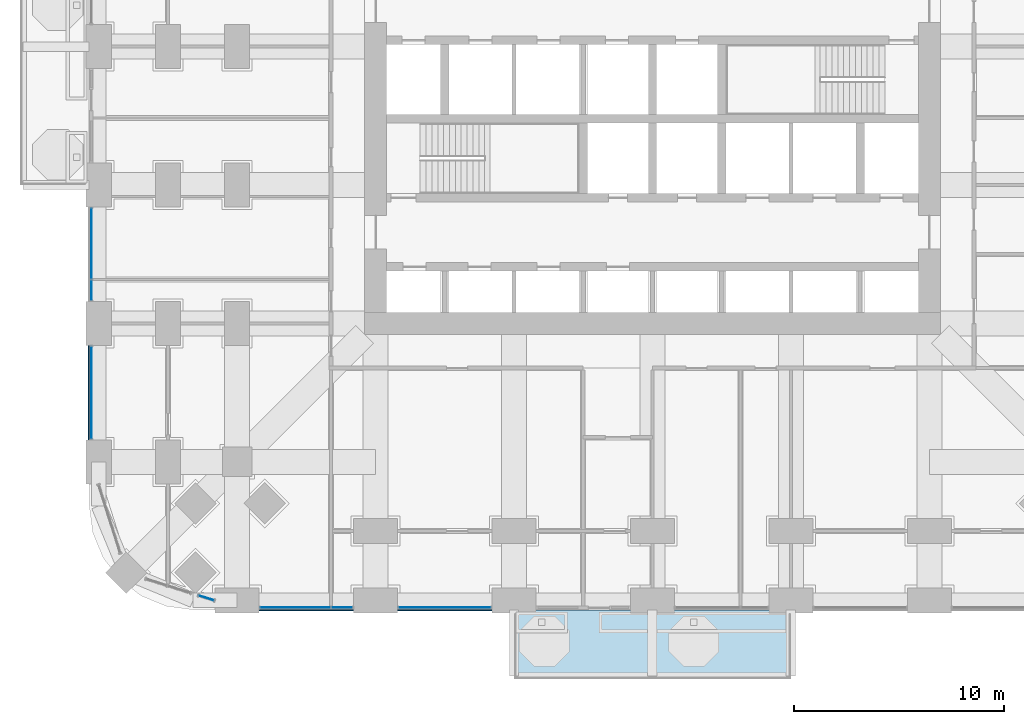
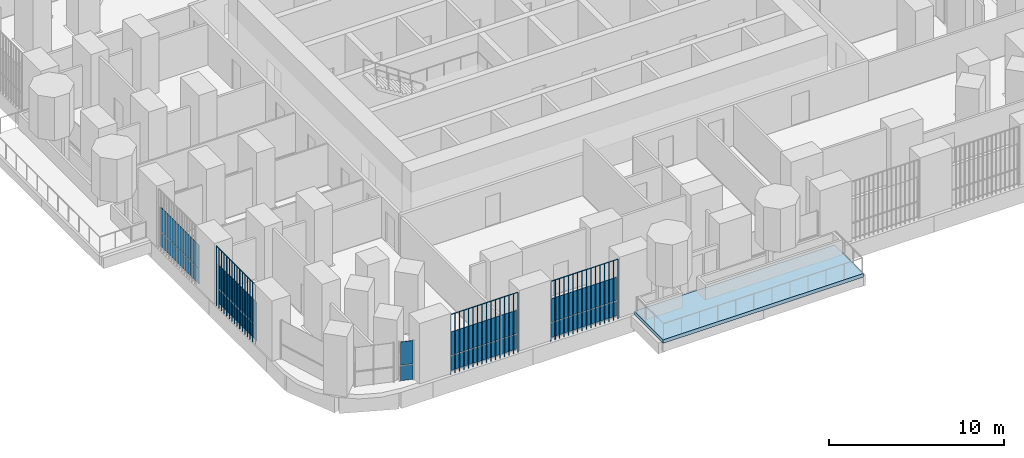
# One storey, part 11 of 26: 17 plates, 1 slab, 5 elements without a shape of their own.
"""IFC4 building model written with IfcOpenShell, lengths in metres."""

from ifc_helpers import new_model, si_unit, direction, frame, origin, origin_2d, place, context, subcontext, project, spatial, polyline, rectangle, outline, extrude, material, layer, layer_set, type_object, element, aggregate, save


model = new_model("IFC4")

# Units and contexts
model_context = context("Model", 3, precision=1e-05, world=origin(), true_north=direction((0.0, 1.0)))
body_context = subcontext(model_context, "Body", "Model", "MODEL_VIEW")
ifc_project = project(units=[si_unit("LENGTHUNIT", "METRE"), si_unit("AREAUNIT", "SQUARE_METRE"), si_unit("VOLUMEUNIT", "CUBIC_METRE"), si_unit("PLANEANGLEUNIT", "RADIAN"), si_unit("MASSUNIT", "GRAM", prefix="KILO")], contexts=[model_context])

# Site, building, storey
site_placement = place(None, origin())
site = spatial("IfcSite", under=ifc_project, at=site_placement, CompositionType="ELEMENT")
building_placement = place(site_placement, origin())
building = spatial("IfcBuilding", under=site, at=building_placement, Name="Cobogo Forest Laboratory Tower", CompositionType="ELEMENT")
storey_placement = place(building_placement, frame((0.0, 0.0, 50.699951171875)))
storey = spatial("IfcBuildingStorey", under=building, at=storey_placement, Name="L11", CompositionType="ELEMENT", Elevation=50.699951171875)

# Slab
ifc_material_1 = material(Name="Concrete HA-40 (C40/50)", Category="concrete")
ifc_layer_1 = layer(ifc_material_1, 0.25)
ifc_layer_set_1 = layer_set([ifc_layer_1], Name="Balcony slab 250")
slab_type = type_object("IfcSlabType", Name="Balcony slab 250", PredefinedType="FLOOR", material=ifc_layer_set_1)
slab_placement = place(storey_placement, frame((0.0, 0.0, -0.25)))
element("IfcSlab", 1, at=slab_placement, inside=storey, type_object=slab_type, Name="Balcony BAL-S1 L11", PredefinedType="FLOOR", context=body_context, shape_type="SweptSolid", body=[
    extrude(outline(polyline([(19.800048828125, -3.75), (33.0, -3.75), (33.0, -0.449951171875), (19.800048828125, -0.449951171875), (19.800048828125, -3.75)])), origin(), (0.0, 0.0, 1.0), 0.25),
])

# Curtain wall, plates
ifc_material_2 = material(Name="Aluminium curtain wall", Category="aluminium")
curtain_wall_type = type_object("IfcCurtainWallType", Name="CW-1 unitised curtain wall, clear glazing, laboratory floors zones A and B", PredefinedType="USERDEFINED", material=ifc_material_2)
curtain_wall_1_placement = place(storey_placement, origin())
curtain_wall_1 = element("IfcCurtainWall", 2, at=curtain_wall_1_placement, inside=storey, type_object=curtain_wall_type, Name="Curtain wall 01 L11", ObjectType="UNITISED CURTAIN WALL", PredefinedType="USERDEFINED")
ifc_material_3 = material(Name="Clear insulated glass", Category="glass")
ifc_layer_2 = layer(ifc_material_3, 0.028076171875)
ifc_layer_set_2 = layer_set([ifc_layer_2], Name="GP-1 clear insulated glass unit 28")
plate_type_1 = type_object("IfcPlateType", Name="GP-1 clear insulated glass unit 28", PredefinedType="CURTAIN_PANEL", material=ifc_layer_set_2)
plate_1_placement = place(storey_placement, frame((9.37744140625, -0.35009765625, 0.0), z_axis=(0.0, 0.0, 1.0), x_axis=(1.0, 0.0, 0.0)))
plate_1 = element("IfcPlate", 3, at=plate_1_placement, type_object=plate_type_1, Name="CW-1 panel 1.1", PredefinedType="CURTAIN_PANEL", context=body_context, shape_type="SweptSolid", body=[
    extrude(rectangle(XDim=3.3349609375, YDim=0.028076171875, at=origin_2d()), origin(), (0.0, 0.0, 1.0), 1.02001953125),
])
plate_2_placement = place(storey_placement, frame((9.37744140625, -0.35009765625, 1.080078125), z_axis=(0.0, 0.0, 1.0), x_axis=(1.0, 0.0, 0.0)))
plate_2 = element("IfcPlate", 4, at=plate_2_placement, type_object=plate_type_1, Name="CW-1 panel 1.2", PredefinedType="CURTAIN_PANEL", context=body_context, shape_type="SweptSolid", body=[
    extrude(rectangle(XDim=3.3349609375, YDim=0.028076171875, at=origin_2d()), origin(), (0.0, 0.0, 1.0), 1.6201171875),
])
plate_3_placement = place(storey_placement, frame((11.597412109375, -0.35009765625, 0.0), z_axis=(0.0, 0.0, 1.0), x_axis=(1.0, 0.0, 0.0)))
plate_3 = element("IfcPlate", 5, at=plate_3_placement, type_object=plate_type_1, Name="CW-1 panel 2.1", PredefinedType="CURTAIN_PANEL", context=body_context, shape_type="SweptSolid", body=[
    extrude(rectangle(XDim=0.985107421875, YDim=0.028076171875, at=origin_2d()), origin(), (0.0, 0.0, 1.0), 1.02001953125),
])
plate_4_placement = place(storey_placement, frame((11.597412109375, -0.35009765625, 1.080078125), z_axis=(0.0, 0.0, 1.0), x_axis=(1.0, 0.0, 0.0)))
plate_4 = element("IfcPlate", 6, at=plate_4_placement, type_object=plate_type_1, Name="CW-1 panel 2.2", PredefinedType="CURTAIN_PANEL", context=body_context, shape_type="SweptSolid", body=[
    extrude(rectangle(XDim=0.985107421875, YDim=0.028076171875, at=origin_2d()), origin(), (0.0, 0.0, 1.0), 1.6201171875),
])
aggregate(curtain_wall_1, [plate_1, plate_2, plate_3, plate_4])

curtain_wall_2_placement = place(storey_placement, origin())
curtain_wall_2 = element("IfcCurtainWall", 7, at=curtain_wall_2_placement, inside=storey, type_object=curtain_wall_type, Name="Curtain wall 02 L11", ObjectType="UNITISED CURTAIN WALL", PredefinedType="USERDEFINED")
plate_5_placement = place(storey_placement, frame((16.5, -0.35009765625, 0.0), z_axis=(0.0, 0.0, 1.0), x_axis=(1.0, 0.0, 0.0)))
plate_5 = element("IfcPlate", 8, at=plate_5_placement, type_object=plate_type_1, Name="CW-1 panel 1.1", PredefinedType="CURTAIN_PANEL", context=body_context, shape_type="SweptSolid", body=[
    extrude(rectangle(XDim=4.3798828125, YDim=0.028076171875, at=origin_2d()), origin(), (0.0, 0.0, 1.0), 1.02001953125),
])
plate_6_placement = place(storey_placement, frame((16.5, -0.35009765625, 1.080078125), z_axis=(0.0, 0.0, 1.0), x_axis=(1.0, 0.0, 0.0)))
plate_6 = element("IfcPlate", 9, at=plate_6_placement, type_object=plate_type_1, Name="CW-1 panel 1.2", PredefinedType="CURTAIN_PANEL", context=body_context, shape_type="SweptSolid", body=[
    extrude(rectangle(XDim=4.3798828125, YDim=0.028076171875, at=origin_2d()), origin(), (0.0, 0.0, 1.0), 1.6201171875),
])
aggregate(curtain_wall_2, [plate_5, plate_6])

curtain_wall_3_placement = place(storey_placement, origin())
curtain_wall_3 = element("IfcCurtainWall", 10, at=curtain_wall_3_placement, inside=storey, type_object=curtain_wall_type, Name="Curtain wall 30 L11", ObjectType="UNITISED CURTAIN WALL", PredefinedType="USERDEFINED")
plate_7_placement = place(storey_placement, frame((-0.35009765625, 17.010009765625, 0.0), z_axis=(0.0, 0.0, 1.0), x_axis=(0.0, -1.0, 0.0)))
plate_7 = element("IfcPlate", 11, at=plate_7_placement, type_object=plate_type_1, Name="CW-1 panel 1.1", PredefinedType="CURTAIN_PANEL", context=body_context, shape_type="SweptSolid", body=[
    extrude(rectangle(XDim=3.360107421875, YDim=0.028076171875, at=origin_2d()), origin(), (0.0, 0.0, 1.0), 1.02001953125),
])
plate_8_placement = place(storey_placement, frame((-0.35009765625, 17.010009765625, 1.080078125), z_axis=(0.0, 0.0, 1.0), x_axis=(0.0, -1.0, 0.0)))
plate_8 = element("IfcPlate", 12, at=plate_8_placement, type_object=plate_type_1, Name="CW-1 panel 1.2", PredefinedType="CURTAIN_PANEL", context=body_context, shape_type="SweptSolid", body=[
    extrude(rectangle(XDim=3.360107421875, YDim=0.028076171875, at=origin_2d()), origin(), (0.0, 0.0, 1.0), 1.6201171875),
])
plate_9_placement = place(storey_placement, frame((-0.35009765625, 14.7900390625, 0.0), z_axis=(0.0, 0.0, 1.0), x_axis=(0.0, -1.0, 0.0)))
plate_9 = element("IfcPlate", 13, at=plate_9_placement, type_object=plate_type_1, Name="CW-1 panel 2.1", PredefinedType="CURTAIN_PANEL", context=body_context, shape_type="SweptSolid", body=[
    extrude(rectangle(XDim=0.9599609375, YDim=0.028076171875, at=origin_2d()), origin(), (0.0, 0.0, 1.0), 1.02001953125),
])
plate_10_placement = place(storey_placement, frame((-0.35009765625, 14.7900390625, 1.080078125), z_axis=(0.0, 0.0, 1.0), x_axis=(0.0, -1.0, 0.0)))
plate_10 = element("IfcPlate", 14, at=plate_10_placement, type_object=plate_type_1, Name="CW-1 panel 2.2", PredefinedType="CURTAIN_PANEL", context=body_context, shape_type="SweptSolid", body=[
    extrude(rectangle(XDim=0.9599609375, YDim=0.028076171875, at=origin_2d()), origin(), (0.0, 0.0, 1.0), 1.6201171875),
])
aggregate(curtain_wall_3, [plate_7, plate_8, plate_9, plate_10])

curtain_wall_4_placement = place(storey_placement, origin())
curtain_wall_4 = element("IfcCurtainWall", 15, at=curtain_wall_4_placement, inside=storey, type_object=curtain_wall_type, Name="Curtain wall 31 L11", ObjectType="UNITISED CURTAIN WALL", PredefinedType="USERDEFINED")
plate_11_placement = place(storey_placement, frame((-0.35009765625, 9.89990234375, 0.0), z_axis=(0.0, 0.0, 1.0), x_axis=(0.0, -1.0, 0.0)))
plate_11 = element("IfcPlate", 16, at=plate_11_placement, type_object=plate_type_1, Name="CW-1 panel 1.1", PredefinedType="CURTAIN_PANEL", context=body_context, shape_type="SweptSolid", body=[
    extrude(rectangle(XDim=4.3798828125, YDim=0.028076171875, at=origin_2d()), origin(), (0.0, 0.0, 1.0), 1.02001953125),
])
plate_12_placement = place(storey_placement, frame((-0.35009765625, 9.89990234375, 1.080078125), z_axis=(0.0, 0.0, 1.0), x_axis=(0.0, -1.0, 0.0)))
plate_12 = element("IfcPlate", 17, at=plate_12_placement, type_object=plate_type_1, Name="CW-1 panel 1.2", PredefinedType="CURTAIN_PANEL", context=body_context, shape_type="SweptSolid", body=[
    extrude(rectangle(XDim=4.3798828125, YDim=0.028076171875, at=origin_2d()), origin(), (0.0, 0.0, 1.0), 1.6201171875),
])
aggregate(curtain_wall_4, [plate_11, plate_12])

curtain_wall_5_placement = place(storey_placement, origin())
curtain_wall_5 = element("IfcCurtainWall", 18, at=curtain_wall_5_placement, inside=storey, type_object=curtain_wall_type, Name="Curtain wall 34 L11", ObjectType="UNITISED CURTAIN WALL", PredefinedType="USERDEFINED")
plate_13_placement = place(storey_placement, frame((5.134033203125, 0.113037109375, 0.0), z_axis=(0.0, 0.0, 1.0), x_axis=(0.953581504428, -0.301135043481, 0.0)))
plate_13 = element("IfcPlate", 19, at=plate_13_placement, type_object=plate_type_1, Name="CW-1 panel 1.1", PredefinedType="CURTAIN_PANEL", context=body_context, shape_type="SweptSolid", body=[
    extrude(rectangle(XDim=0.75244140625, YDim=0.028076171875, at=origin_2d()), origin(), (0.0, 0.0, 1.0), 1.02001953125),
])
plate_14_placement = place(storey_placement, frame((5.134033203125, 0.113037109375, 1.080078125), z_axis=(0.0, 0.0, 1.0), x_axis=(0.953581504428, -0.301135043481, 0.0)))
plate_14 = element("IfcPlate", 20, at=plate_14_placement, type_object=plate_type_1, Name="CW-1 panel 1.2", PredefinedType="CURTAIN_PANEL", context=body_context, shape_type="SweptSolid", body=[
    extrude(rectangle(XDim=0.75244140625, YDim=0.028076171875, at=origin_2d()), origin(), (0.0, 0.0, 1.0), 1.6201171875),
])
aggregate(curtain_wall_5, [plate_13, plate_14])

# Plates
ifc_material_4 = material(Name="Terracotta", Category="masonry")
plate_type_2 = type_object("IfcPlateType", Name="TB1 terracotta baguette screen", PredefinedType="USERDEFINED", material=ifc_material_4)
plate_15_placement = place(storey_placement, frame((7.68115234375, -0.477783203125, -0.14990234375)))
element("IfcPlate", 21, at=plate_15_placement, inside=storey, type_object=plate_type_2, Name="Baguette screen S1 L11", ObjectType="BAGUETTE SCREEN", PredefinedType="USERDEFINED", context=body_context, shape_type="SweptSolid", body=[
    extrude(outline(polyline([(0.02880859375, 0.011962890625), (0.011962890625, 0.02880859375), (-0.011962890625, 0.02880859375), (-0.02880859375, 0.011962890625), (-0.02880859375, -0.011962890625), (-0.011962890625, -0.02880859375), (0.011962890625, -0.02880859375), (0.02880859375, -0.011962890625), (0.02880859375, 0.011962890625)])), frame((0.0, 0.0, 4.168701171875), z_axis=(1.0, 0.0, 0.0), x_axis=(0.0, 1.0, 0.0)), (0.0, 0.0, 1.0), 4.4375),
    extrude(outline(polyline([(0.02880859375, 0.011962890625), (0.011962890625, 0.02880859375), (-0.011962890625, 0.02880859375), (-0.02880859375, 0.011962890625), (-0.02880859375, -0.011962890625), (-0.011962890625, -0.02880859375), (0.011962890625, -0.02880859375), (0.02880859375, -0.011962890625), (0.02880859375, 0.011962890625)])), origin(), (0.0, 0.0, 1.0), 4.137451171875),
    extrude(outline(polyline([(0.02880859375, 0.011962890625), (0.011962890625, 0.02880859375), (-0.011962890625, 0.02880859375), (-0.02880859375, 0.011962890625), (-0.02880859375, -0.011962890625), (-0.011962890625, -0.02880859375), (0.011962890625, -0.02880859375), (0.02880859375, -0.011962890625), (0.02880859375, 0.011962890625)])), frame((0.2958984375, 0.0, 0.0)), (0.0, 0.0, 1.0), 4.137451171875),
    extrude(outline(polyline([(0.02880859375, 0.011962890625), (0.011962890625, 0.02880859375), (-0.011962890625, 0.02880859375), (-0.02880859375, 0.011962890625), (-0.02880859375, -0.011962890625), (-0.011962890625, -0.02880859375), (0.011962890625, -0.02880859375), (0.02880859375, -0.011962890625), (0.02880859375, 0.011962890625)])), frame((0.591552734375, 0.0, 0.0)), (0.0, 0.0, 1.0), 4.137451171875),
    extrude(outline(polyline([(0.02880859375, 0.011962890625), (0.011962890625, 0.02880859375), (-0.011962890625, 0.02880859375), (-0.02880859375, 0.011962890625), (-0.02880859375, -0.011962890625), (-0.011962890625, -0.02880859375), (0.011962890625, -0.02880859375), (0.02880859375, -0.011962890625), (0.02880859375, 0.011962890625)])), frame((0.887451171875, 0.0, 0.0)), (0.0, 0.0, 1.0), 4.137451171875),
    extrude(outline(polyline([(0.02880859375, 0.011962890625), (0.011962890625, 0.02880859375), (-0.011962890625, 0.02880859375), (-0.02880859375, 0.011962890625), (-0.02880859375, -0.011962890625), (-0.011962890625, -0.02880859375), (0.011962890625, -0.02880859375), (0.02880859375, -0.011962890625), (0.02880859375, 0.011962890625)])), frame((1.183349609375, 0.0, 0.0)), (0.0, 0.0, 1.0), 4.137451171875),
    extrude(outline(polyline([(0.02880859375, 0.011962890625), (0.011962890625, 0.02880859375), (-0.011962890625, 0.02880859375), (-0.02880859375, 0.011962890625), (-0.02880859375, -0.011962890625), (-0.011962890625, -0.02880859375), (0.011962890625, -0.02880859375), (0.02880859375, -0.011962890625), (0.02880859375, 0.011962890625)])), frame((1.479248046875, 0.0, 0.0)), (0.0, 0.0, 1.0), 4.137451171875),
    extrude(outline(polyline([(0.02880859375, 0.011962890625), (0.011962890625, 0.02880859375), (-0.011962890625, 0.02880859375), (-0.02880859375, 0.011962890625), (-0.02880859375, -0.011962890625), (-0.011962890625, -0.02880859375), (0.011962890625, -0.02880859375), (0.02880859375, -0.011962890625), (0.02880859375, 0.011962890625)])), frame((1.77490234375, 0.0, 0.0)), (0.0, 0.0, 1.0), 4.137451171875),
    extrude(outline(polyline([(0.02880859375, 0.011962890625), (0.011962890625, 0.02880859375), (-0.011962890625, 0.02880859375), (-0.02880859375, 0.011962890625), (-0.02880859375, -0.011962890625), (-0.011962890625, -0.02880859375), (0.011962890625, -0.02880859375), (0.02880859375, -0.011962890625), (0.02880859375, 0.011962890625)])), frame((2.07080078125, 0.0, 0.0)), (0.0, 0.0, 1.0), 4.137451171875),
    extrude(outline(polyline([(0.02880859375, 0.011962890625), (0.011962890625, 0.02880859375), (-0.011962890625, 0.02880859375), (-0.02880859375, 0.011962890625), (-0.02880859375, -0.011962890625), (-0.011962890625, -0.02880859375), (0.011962890625, -0.02880859375), (0.02880859375, -0.011962890625), (0.02880859375, 0.011962890625)])), frame((2.36669921875, 0.0, 0.0)), (0.0, 0.0, 1.0), 4.137451171875),
    extrude(outline(polyline([(0.02880859375, 0.011962890625), (0.011962890625, 0.02880859375), (-0.011962890625, 0.02880859375), (-0.02880859375, 0.011962890625), (-0.02880859375, -0.011962890625), (-0.011962890625, -0.02880859375), (0.011962890625, -0.02880859375), (0.02880859375, -0.011962890625), (0.02880859375, 0.011962890625)])), frame((2.66259765625, 0.0, 0.0)), (0.0, 0.0, 1.0), 4.137451171875),
    extrude(outline(polyline([(0.02880859375, 0.011962890625), (0.011962890625, 0.02880859375), (-0.011962890625, 0.02880859375), (-0.02880859375, 0.011962890625), (-0.02880859375, -0.011962890625), (-0.011962890625, -0.02880859375), (0.011962890625, -0.02880859375), (0.02880859375, -0.011962890625), (0.02880859375, 0.011962890625)])), frame((2.958251953125, 0.0, 0.0)), (0.0, 0.0, 1.0), 4.137451171875),
    extrude(outline(polyline([(0.02880859375, 0.011962890625), (0.011962890625, 0.02880859375), (-0.011962890625, 0.02880859375), (-0.02880859375, 0.011962890625), (-0.02880859375, -0.011962890625), (-0.011962890625, -0.02880859375), (0.011962890625, -0.02880859375), (0.02880859375, -0.011962890625), (0.02880859375, 0.011962890625)])), frame((3.254150390625, 0.0, 0.0)), (0.0, 0.0, 1.0), 4.137451171875),
    extrude(outline(polyline([(0.02880859375, 0.011962890625), (0.011962890625, 0.02880859375), (-0.011962890625, 0.02880859375), (-0.02880859375, 0.011962890625), (-0.02880859375, -0.011962890625), (-0.011962890625, -0.02880859375), (0.011962890625, -0.02880859375), (0.02880859375, -0.011962890625), (0.02880859375, 0.011962890625)])), frame((3.550048828125, 0.0, 0.0)), (0.0, 0.0, 1.0), 4.137451171875),
    extrude(outline(polyline([(0.02880859375, 0.011962890625), (0.011962890625, 0.02880859375), (-0.011962890625, 0.02880859375), (-0.02880859375, 0.011962890625), (-0.02880859375, -0.011962890625), (-0.011962890625, -0.02880859375), (0.011962890625, -0.02880859375), (0.02880859375, -0.011962890625), (0.02880859375, 0.011962890625)])), frame((3.845947265625, 0.0, 0.0)), (0.0, 0.0, 1.0), 4.137451171875),
    extrude(outline(polyline([(0.02880859375, 0.011962890625), (0.011962890625, 0.02880859375), (-0.011962890625, 0.02880859375), (-0.02880859375, 0.011962890625), (-0.02880859375, -0.011962890625), (-0.011962890625, -0.02880859375), (0.011962890625, -0.02880859375), (0.02880859375, -0.011962890625), (0.02880859375, 0.011962890625)])), frame((4.1416015625, 0.0, 0.0)), (0.0, 0.0, 1.0), 4.137451171875),
    extrude(outline(polyline([(0.02880859375, 0.011962890625), (0.011962890625, 0.02880859375), (-0.011962890625, 0.02880859375), (-0.02880859375, 0.011962890625), (-0.02880859375, -0.011962890625), (-0.011962890625, -0.02880859375), (0.011962890625, -0.02880859375), (0.02880859375, -0.011962890625), (0.02880859375, 0.011962890625)])), frame((4.4375, 0.0, 0.0)), (0.0, 0.0, 1.0), 4.137451171875),
])
plate_16_placement = place(storey_placement, frame((14.28125, -0.477783203125, -0.14990234375)))
element("IfcPlate", 22, at=plate_16_placement, inside=storey, type_object=plate_type_2, Name="Baguette screen S2 L11", ObjectType="BAGUETTE SCREEN", PredefinedType="USERDEFINED", context=body_context, shape_type="SweptSolid", body=[
    extrude(outline(polyline([(0.02880859375, 0.011962890625), (0.011962890625, 0.02880859375), (-0.011962890625, 0.02880859375), (-0.02880859375, 0.011962890625), (-0.02880859375, -0.011962890625), (-0.011962890625, -0.02880859375), (0.011962890625, -0.02880859375), (0.02880859375, -0.011962890625), (0.02880859375, 0.011962890625)])), frame((0.0, 0.0, 4.168701171875), z_axis=(1.0, 0.0, 0.0), x_axis=(0.0, 1.0, 0.0)), (0.0, 0.0, 1.0), 4.4375),
    extrude(outline(polyline([(0.02880859375, 0.011962890625), (0.011962890625, 0.02880859375), (-0.011962890625, 0.02880859375), (-0.02880859375, 0.011962890625), (-0.02880859375, -0.011962890625), (-0.011962890625, -0.02880859375), (0.011962890625, -0.02880859375), (0.02880859375, -0.011962890625), (0.02880859375, 0.011962890625)])), origin(), (0.0, 0.0, 1.0), 4.137451171875),
    extrude(outline(polyline([(0.02880859375, 0.011962890625), (0.011962890625, 0.02880859375), (-0.011962890625, 0.02880859375), (-0.02880859375, 0.011962890625), (-0.02880859375, -0.011962890625), (-0.011962890625, -0.02880859375), (0.011962890625, -0.02880859375), (0.02880859375, -0.011962890625), (0.02880859375, 0.011962890625)])), frame((0.2958984375, 0.0, 0.0)), (0.0, 0.0, 1.0), 4.137451171875),
    extrude(outline(polyline([(0.02880859375, 0.011962890625), (0.011962890625, 0.02880859375), (-0.011962890625, 0.02880859375), (-0.02880859375, 0.011962890625), (-0.02880859375, -0.011962890625), (-0.011962890625, -0.02880859375), (0.011962890625, -0.02880859375), (0.02880859375, -0.011962890625), (0.02880859375, 0.011962890625)])), frame((0.591552734375, 0.0, 0.0)), (0.0, 0.0, 1.0), 4.137451171875),
    extrude(outline(polyline([(0.02880859375, 0.011962890625), (0.011962890625, 0.02880859375), (-0.011962890625, 0.02880859375), (-0.02880859375, 0.011962890625), (-0.02880859375, -0.011962890625), (-0.011962890625, -0.02880859375), (0.011962890625, -0.02880859375), (0.02880859375, -0.011962890625), (0.02880859375, 0.011962890625)])), frame((0.887451171875, 0.0, 0.0)), (0.0, 0.0, 1.0), 4.137451171875),
    extrude(outline(polyline([(0.02880859375, 0.011962890625), (0.011962890625, 0.02880859375), (-0.011962890625, 0.02880859375), (-0.02880859375, 0.011962890625), (-0.02880859375, -0.011962890625), (-0.011962890625, -0.02880859375), (0.011962890625, -0.02880859375), (0.02880859375, -0.011962890625), (0.02880859375, 0.011962890625)])), frame((1.183349609375, 0.0, 0.0)), (0.0, 0.0, 1.0), 4.137451171875),
    extrude(outline(polyline([(0.02880859375, 0.011962890625), (0.011962890625, 0.02880859375), (-0.011962890625, 0.02880859375), (-0.02880859375, 0.011962890625), (-0.02880859375, -0.011962890625), (-0.011962890625, -0.02880859375), (0.011962890625, -0.02880859375), (0.02880859375, -0.011962890625), (0.02880859375, 0.011962890625)])), frame((1.479248046875, 0.0, 0.0)), (0.0, 0.0, 1.0), 4.137451171875),
    extrude(outline(polyline([(0.02880859375, 0.011962890625), (0.011962890625, 0.02880859375), (-0.011962890625, 0.02880859375), (-0.02880859375, 0.011962890625), (-0.02880859375, -0.011962890625), (-0.011962890625, -0.02880859375), (0.011962890625, -0.02880859375), (0.02880859375, -0.011962890625), (0.02880859375, 0.011962890625)])), frame((1.77490234375, 0.0, 0.0)), (0.0, 0.0, 1.0), 4.137451171875),
    extrude(outline(polyline([(0.02880859375, 0.011962890625), (0.011962890625, 0.02880859375), (-0.011962890625, 0.02880859375), (-0.02880859375, 0.011962890625), (-0.02880859375, -0.011962890625), (-0.011962890625, -0.02880859375), (0.011962890625, -0.02880859375), (0.02880859375, -0.011962890625), (0.02880859375, 0.011962890625)])), frame((2.07080078125, 0.0, 0.0)), (0.0, 0.0, 1.0), 4.137451171875),
    extrude(outline(polyline([(0.02880859375, 0.011962890625), (0.011962890625, 0.02880859375), (-0.011962890625, 0.02880859375), (-0.02880859375, 0.011962890625), (-0.02880859375, -0.011962890625), (-0.011962890625, -0.02880859375), (0.011962890625, -0.02880859375), (0.02880859375, -0.011962890625), (0.02880859375, 0.011962890625)])), frame((2.36669921875, 0.0, 0.0)), (0.0, 0.0, 1.0), 4.137451171875),
    extrude(outline(polyline([(0.02880859375, 0.011962890625), (0.011962890625, 0.02880859375), (-0.011962890625, 0.02880859375), (-0.02880859375, 0.011962890625), (-0.02880859375, -0.011962890625), (-0.011962890625, -0.02880859375), (0.011962890625, -0.02880859375), (0.02880859375, -0.011962890625), (0.02880859375, 0.011962890625)])), frame((2.66259765625, 0.0, 0.0)), (0.0, 0.0, 1.0), 4.137451171875),
    extrude(outline(polyline([(0.02880859375, 0.011962890625), (0.011962890625, 0.02880859375), (-0.011962890625, 0.02880859375), (-0.02880859375, 0.011962890625), (-0.02880859375, -0.011962890625), (-0.011962890625, -0.02880859375), (0.011962890625, -0.02880859375), (0.02880859375, -0.011962890625), (0.02880859375, 0.011962890625)])), frame((2.958251953125, 0.0, 0.0)), (0.0, 0.0, 1.0), 4.137451171875),
    extrude(outline(polyline([(0.02880859375, 0.011962890625), (0.011962890625, 0.02880859375), (-0.011962890625, 0.02880859375), (-0.02880859375, 0.011962890625), (-0.02880859375, -0.011962890625), (-0.011962890625, -0.02880859375), (0.011962890625, -0.02880859375), (0.02880859375, -0.011962890625), (0.02880859375, 0.011962890625)])), frame((3.254150390625, 0.0, 0.0)), (0.0, 0.0, 1.0), 4.137451171875),
    extrude(outline(polyline([(0.02880859375, 0.011962890625), (0.011962890625, 0.02880859375), (-0.011962890625, 0.02880859375), (-0.02880859375, 0.011962890625), (-0.02880859375, -0.011962890625), (-0.011962890625, -0.02880859375), (0.011962890625, -0.02880859375), (0.02880859375, -0.011962890625), (0.02880859375, 0.011962890625)])), frame((3.550048828125, 0.0, 0.0)), (0.0, 0.0, 1.0), 4.137451171875),
    extrude(outline(polyline([(0.02880859375, 0.011962890625), (0.011962890625, 0.02880859375), (-0.011962890625, 0.02880859375), (-0.02880859375, 0.011962890625), (-0.02880859375, -0.011962890625), (-0.011962890625, -0.02880859375), (0.011962890625, -0.02880859375), (0.02880859375, -0.011962890625), (0.02880859375, 0.011962890625)])), frame((3.845947265625, 0.0, 0.0)), (0.0, 0.0, 1.0), 4.137451171875),
    extrude(outline(polyline([(0.02880859375, 0.011962890625), (0.011962890625, 0.02880859375), (-0.011962890625, 0.02880859375), (-0.02880859375, 0.011962890625), (-0.02880859375, -0.011962890625), (-0.011962890625, -0.02880859375), (0.011962890625, -0.02880859375), (0.02880859375, -0.011962890625), (0.02880859375, 0.011962890625)])), frame((4.1416015625, 0.0, 0.0)), (0.0, 0.0, 1.0), 4.137451171875),
    extrude(outline(polyline([(0.02880859375, 0.011962890625), (0.011962890625, 0.02880859375), (-0.011962890625, 0.02880859375), (-0.02880859375, 0.011962890625), (-0.02880859375, -0.011962890625), (-0.011962890625, -0.02880859375), (0.011962890625, -0.02880859375), (0.02880859375, -0.011962890625), (0.02880859375, 0.011962890625)])), frame((4.4375, 0.0, 0.0)), (0.0, 0.0, 1.0), 4.137451171875),
])
plate_17_placement = place(storey_placement, frame((-0.477783203125, 7.68115234375, -0.14990234375)))
element("IfcPlate", 23, at=plate_17_placement, inside=storey, type_object=plate_type_2, Name="Baguette screen W1 L11", ObjectType="BAGUETTE SCREEN", PredefinedType="USERDEFINED", context=body_context, shape_type="SweptSolid", body=[
    extrude(outline(polyline([(0.02880859375, 0.011962890625), (0.011962890625, 0.02880859375), (-0.011962890625, 0.02880859375), (-0.02880859375, 0.011962890625), (-0.02880859375, -0.011962890625), (-0.011962890625, -0.02880859375), (0.011962890625, -0.02880859375), (0.02880859375, -0.011962890625), (0.02880859375, 0.011962890625)])), frame((0.0, 0.0, 4.168701171875), z_axis=(0.0, 1.0, 0.0), x_axis=(-1.0, 0.0, 0.0)), (0.0, 0.0, 1.0), 4.4375),
    extrude(outline(polyline([(0.02880859375, 0.011962890625), (0.011962890625, 0.02880859375), (-0.011962890625, 0.02880859375), (-0.02880859375, 0.011962890625), (-0.02880859375, -0.011962890625), (-0.011962890625, -0.02880859375), (0.011962890625, -0.02880859375), (0.02880859375, -0.011962890625), (0.02880859375, 0.011962890625)])), origin(), (0.0, 0.0, 1.0), 4.137451171875),
    extrude(outline(polyline([(0.02880859375, 0.011962890625), (0.011962890625, 0.02880859375), (-0.011962890625, 0.02880859375), (-0.02880859375, 0.011962890625), (-0.02880859375, -0.011962890625), (-0.011962890625, -0.02880859375), (0.011962890625, -0.02880859375), (0.02880859375, -0.011962890625), (0.02880859375, 0.011962890625)])), frame((0.0, 0.2958984375, 0.0)), (0.0, 0.0, 1.0), 4.137451171875),
    extrude(outline(polyline([(0.02880859375, 0.011962890625), (0.011962890625, 0.02880859375), (-0.011962890625, 0.02880859375), (-0.02880859375, 0.011962890625), (-0.02880859375, -0.011962890625), (-0.011962890625, -0.02880859375), (0.011962890625, -0.02880859375), (0.02880859375, -0.011962890625), (0.02880859375, 0.011962890625)])), frame((0.0, 0.591552734375, 0.0)), (0.0, 0.0, 1.0), 4.137451171875),
    extrude(outline(polyline([(0.02880859375, 0.011962890625), (0.011962890625, 0.02880859375), (-0.011962890625, 0.02880859375), (-0.02880859375, 0.011962890625), (-0.02880859375, -0.011962890625), (-0.011962890625, -0.02880859375), (0.011962890625, -0.02880859375), (0.02880859375, -0.011962890625), (0.02880859375, 0.011962890625)])), frame((0.0, 0.887451171875, 0.0)), (0.0, 0.0, 1.0), 4.137451171875),
    extrude(outline(polyline([(0.02880859375, 0.011962890625), (0.011962890625, 0.02880859375), (-0.011962890625, 0.02880859375), (-0.02880859375, 0.011962890625), (-0.02880859375, -0.011962890625), (-0.011962890625, -0.02880859375), (0.011962890625, -0.02880859375), (0.02880859375, -0.011962890625), (0.02880859375, 0.011962890625)])), frame((0.0, 1.183349609375, 0.0)), (0.0, 0.0, 1.0), 4.137451171875),
    extrude(outline(polyline([(0.02880859375, 0.011962890625), (0.011962890625, 0.02880859375), (-0.011962890625, 0.02880859375), (-0.02880859375, 0.011962890625), (-0.02880859375, -0.011962890625), (-0.011962890625, -0.02880859375), (0.011962890625, -0.02880859375), (0.02880859375, -0.011962890625), (0.02880859375, 0.011962890625)])), frame((0.0, 1.479248046875, 0.0)), (0.0, 0.0, 1.0), 4.137451171875),
    extrude(outline(polyline([(0.02880859375, 0.011962890625), (0.011962890625, 0.02880859375), (-0.011962890625, 0.02880859375), (-0.02880859375, 0.011962890625), (-0.02880859375, -0.011962890625), (-0.011962890625, -0.02880859375), (0.011962890625, -0.02880859375), (0.02880859375, -0.011962890625), (0.02880859375, 0.011962890625)])), frame((0.0, 1.77490234375, 0.0)), (0.0, 0.0, 1.0), 4.137451171875),
    extrude(outline(polyline([(0.02880859375, 0.011962890625), (0.011962890625, 0.02880859375), (-0.011962890625, 0.02880859375), (-0.02880859375, 0.011962890625), (-0.02880859375, -0.011962890625), (-0.011962890625, -0.02880859375), (0.011962890625, -0.02880859375), (0.02880859375, -0.011962890625), (0.02880859375, 0.011962890625)])), frame((0.0, 2.07080078125, 0.0)), (0.0, 0.0, 1.0), 4.137451171875),
    extrude(outline(polyline([(0.02880859375, 0.011962890625), (0.011962890625, 0.02880859375), (-0.011962890625, 0.02880859375), (-0.02880859375, 0.011962890625), (-0.02880859375, -0.011962890625), (-0.011962890625, -0.02880859375), (0.011962890625, -0.02880859375), (0.02880859375, -0.011962890625), (0.02880859375, 0.011962890625)])), frame((0.0, 2.36669921875, 0.0)), (0.0, 0.0, 1.0), 4.137451171875),
    extrude(outline(polyline([(0.02880859375, 0.011962890625), (0.011962890625, 0.02880859375), (-0.011962890625, 0.02880859375), (-0.02880859375, 0.011962890625), (-0.02880859375, -0.011962890625), (-0.011962890625, -0.02880859375), (0.011962890625, -0.02880859375), (0.02880859375, -0.011962890625), (0.02880859375, 0.011962890625)])), frame((0.0, 2.66259765625, 0.0)), (0.0, 0.0, 1.0), 4.137451171875),
    extrude(outline(polyline([(0.02880859375, 0.011962890625), (0.011962890625, 0.02880859375), (-0.011962890625, 0.02880859375), (-0.02880859375, 0.011962890625), (-0.02880859375, -0.011962890625), (-0.011962890625, -0.02880859375), (0.011962890625, -0.02880859375), (0.02880859375, -0.011962890625), (0.02880859375, 0.011962890625)])), frame((0.0, 2.958251953125, 0.0)), (0.0, 0.0, 1.0), 4.137451171875),
    extrude(outline(polyline([(0.02880859375, 0.011962890625), (0.011962890625, 0.02880859375), (-0.011962890625, 0.02880859375), (-0.02880859375, 0.011962890625), (-0.02880859375, -0.011962890625), (-0.011962890625, -0.02880859375), (0.011962890625, -0.02880859375), (0.02880859375, -0.011962890625), (0.02880859375, 0.011962890625)])), frame((0.0, 3.254150390625, 0.0)), (0.0, 0.0, 1.0), 4.137451171875),
    extrude(outline(polyline([(0.02880859375, 0.011962890625), (0.011962890625, 0.02880859375), (-0.011962890625, 0.02880859375), (-0.02880859375, 0.011962890625), (-0.02880859375, -0.011962890625), (-0.011962890625, -0.02880859375), (0.011962890625, -0.02880859375), (0.02880859375, -0.011962890625), (0.02880859375, 0.011962890625)])), frame((0.0, 3.550048828125, 0.0)), (0.0, 0.0, 1.0), 4.137451171875),
    extrude(outline(polyline([(0.02880859375, 0.011962890625), (0.011962890625, 0.02880859375), (-0.011962890625, 0.02880859375), (-0.02880859375, 0.011962890625), (-0.02880859375, -0.011962890625), (-0.011962890625, -0.02880859375), (0.011962890625, -0.02880859375), (0.02880859375, -0.011962890625), (0.02880859375, 0.011962890625)])), frame((0.0, 3.845947265625, 0.0)), (0.0, 0.0, 1.0), 4.137451171875),
    extrude(outline(polyline([(0.02880859375, 0.011962890625), (0.011962890625, 0.02880859375), (-0.011962890625, 0.02880859375), (-0.02880859375, 0.011962890625), (-0.02880859375, -0.011962890625), (-0.011962890625, -0.02880859375), (0.011962890625, -0.02880859375), (0.02880859375, -0.011962890625), (0.02880859375, 0.011962890625)])), frame((0.0, 4.1416015625, 0.0)), (0.0, 0.0, 1.0), 4.137451171875),
    extrude(outline(polyline([(0.02880859375, 0.011962890625), (0.011962890625, 0.02880859375), (-0.011962890625, 0.02880859375), (-0.02880859375, 0.011962890625), (-0.02880859375, -0.011962890625), (-0.011962890625, -0.02880859375), (0.011962890625, -0.02880859375), (0.02880859375, -0.011962890625), (0.02880859375, 0.011962890625)])), frame((0.0, 4.4375, 0.0)), (0.0, 0.0, 1.0), 4.137451171875),
])

save(model, "model.ifc")
